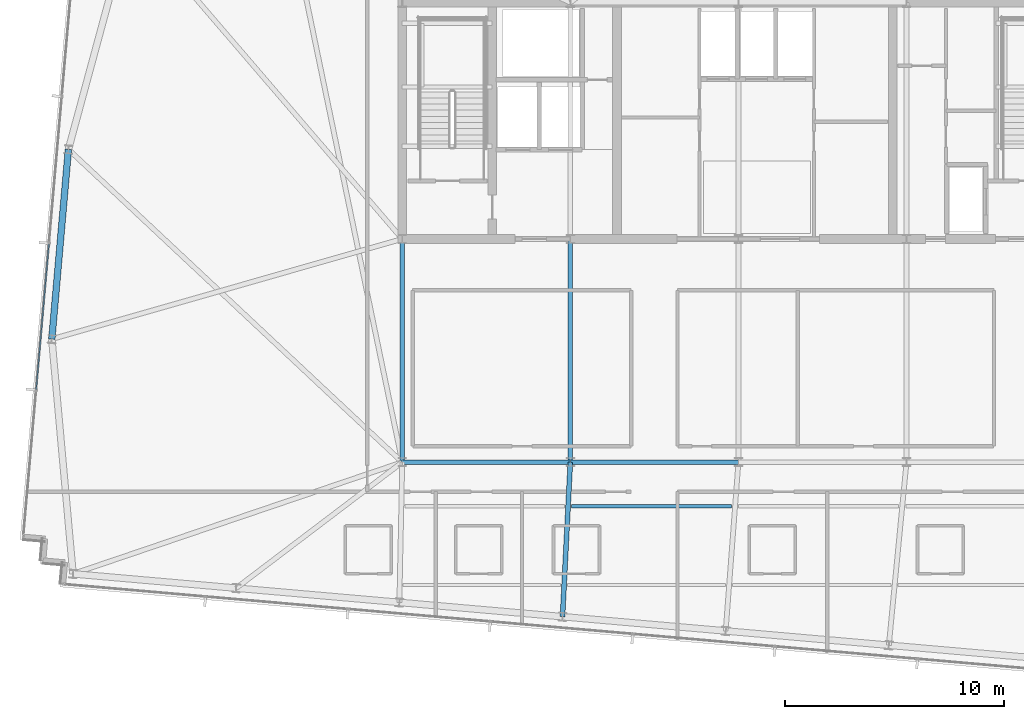
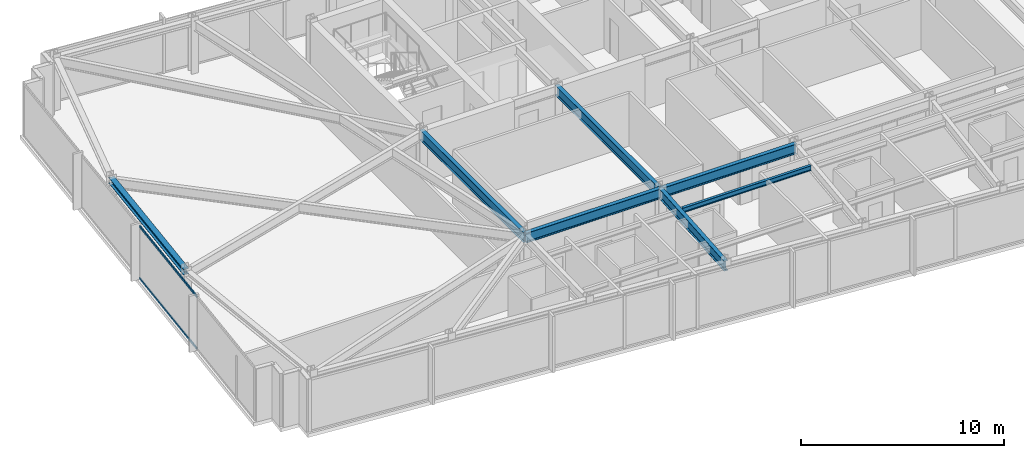
# One storey, part 8 of 33: 7 beams, 2 members, 1 element without a shape of its own.
"""IFC4 building model written with IfcOpenShell, lengths in metres."""

from ifc_helpers import new_model, si_unit, direction, frame, origin, origin_2d, place, context, subcontext, project, spatial, hollow_rectangle, i_section, extrude, material, material_profile, profile_set, type_object, element, aggregate, save


model = new_model("IFC4")

# Units and contexts
model_context = context("Model", 3, precision=1e-05, world=origin(), true_north=direction((0.0, 1.0)))
body_context = subcontext(model_context, "Body", "Model", "MODEL_VIEW")
ifc_project = project(units=[si_unit("LENGTHUNIT", "METRE"), si_unit("AREAUNIT", "SQUARE_METRE"), si_unit("VOLUMEUNIT", "CUBIC_METRE"), si_unit("PLANEANGLEUNIT", "RADIAN"), si_unit("MASSUNIT", "GRAM", prefix="KILO")], contexts=[model_context])

# Site, building, storey
site_placement = place(None, origin())
site = spatial("IfcSite", under=ifc_project, at=site_placement, CompositionType="ELEMENT")
building_placement = place(site_placement, origin())
building = spatial("IfcBuilding", under=site, at=building_placement, Name="Yelkora Congress Tower", CompositionType="ELEMENT")
storey_placement = place(building_placement, frame((0.0, 0.0, 282.89990234375)))
storey = spatial("IfcBuildingStorey", under=building, at=storey_placement, Name="L79", CompositionType="ELEMENT", Elevation=282.89990234375)

# Beams
ifc_material_1 = material(Name="Steel S355J2", Category="steel")
ifc_material_profile_1 = material_profile(ifc_material_1, i_section(OverallWidth=0.219970703125, OverallDepth=0.60009765625, WebThickness=0.011962890625, FlangeThickness=0.01904296875, FilletRadius=0.02392578125, at=origin_2d()), Name="IPE 600")
ifc_profile_set_1 = profile_set([ifc_material_profile_1], Name="Steel S355J2")
beam_type_1 = type_object("IfcBeamType", Name="BM-GIRD-IPE600", PredefinedType="BEAM", material=ifc_profile_set_1)
for number, where, z_axis, x_axis, name in (
    (1, (23.0400390625, 25.199951171875, 2.880126953125), (1.0, 0.0, 0.0), (0.0, 1.0, 0.0), "L79 Spine Grid D Girder 1"),
    (2, (30.719970703125, 25.199951171875, 2.880126953125), (1.0, 0.0, 0.0), (0.0, 1.0, 0.0), "L79 Spine Grid D Girder 2"),
):
    element("IfcBeam", number, at=place(storey_placement, frame(where, z_axis=z_axis, x_axis=x_axis)), inside=storey, type_object=beam_type_1, Name=name, PredefinedType="BEAM", context=body_context, shape_type="SweptSolid", body=[
        extrude(i_section(OverallWidth=0.219970703125, OverallDepth=0.60009765625, WebThickness=0.011962890625, FlangeThickness=0.01904296875, FilletRadius=0.02392578125, at=origin_2d()), origin(), (0.0, 0.0, 1.0), 7.679931640625),
    ])
for number, where, z_axis, x_axis, name in (
    (3, (23.0400390625, 25.199951171875, 2.880126953125), (0.0, 1.0, 0.0), (-1.0, 0.0, 0.0), "L79 Core Tie Girder MC-D1"),
    (4, (30.719970703125, 25.199951171875, 2.880126953125), (0.0, 1.0, 0.0), (-1.0, 0.0, 0.0), "L79 Core Tie Girder MC-D2"),
):
    element("IfcBeam", number, at=place(storey_placement, frame(where, z_axis=z_axis, x_axis=x_axis)), inside=storey, type_object=beam_type_1, Name=name, PredefinedType="BEAM", context=body_context, shape_type="SweptSolid", body=[
        extrude(i_section(OverallWidth=0.219970703125, OverallDepth=0.60009765625, WebThickness=0.011962890625, FlangeThickness=0.01904296875, FilletRadius=0.02392578125, at=origin_2d()), origin(), (0.0, 0.0, 1.0), 10.199951171875),
    ])
beam_1_placement = place(storey_placement, frame((30.362548828125, 18.14111328125, 2.880126953125), z_axis=(0.050569876836, 0.998720525251, 0.0), x_axis=(-0.998720525251, 0.050569876836, 0.0)))
element("IfcBeam", 5, at=beam_1_placement, inside=storey, type_object=beam_type_1, Name="L79 Primary Frame Girder S04", PredefinedType="BEAM", context=body_context, shape_type="SweptSolid", body=[
    extrude(i_section(OverallWidth=0.219970703125, OverallDepth=0.60009765625, WebThickness=0.011962890625, FlangeThickness=0.01904296875, FilletRadius=0.02392578125, at=origin_2d()), origin(), (0.0, 0.0, 1.0), 7.06787109375),
])
ifc_material_profile_2 = material_profile(ifc_material_1, i_section(OverallWidth=0.14990234375, OverallDepth=0.300048828125, WebThickness=0.007080078125, FlangeThickness=0.0107421875, FilletRadius=0.014892578125, at=origin_2d()), Name="IPE 300")
ifc_profile_set_2 = profile_set([ifc_material_profile_2], Name="Steel S355J2")
beam_type_2 = type_object("IfcBeamType", Name="BM-JOIST-IPE300", PredefinedType="JOIST", material=ifc_profile_set_2)
beam_2_placement = place(storey_placement, frame((30.778076171875, 23.1845703125, 3.030029296875), z_axis=(1.0, 0.0, 0.0), x_axis=(0.0, 1.0, 0.0)))
element("IfcBeam", 6, at=beam_2_placement, inside=storey, type_object=beam_type_2, Name="L79 Composite Floor Joist 6", PredefinedType="JOIST", context=body_context, shape_type="SweptSolid", body=[
    extrude(i_section(OverallWidth=0.14990234375, OverallDepth=0.300048828125, WebThickness=0.007080078125, FlangeThickness=0.0107421875, FilletRadius=0.014892578125, at=origin_2d()), origin(), (0.0, 0.0, 1.0), 7.3095703125),
])
ifc_material_profile_3 = material_profile(ifc_material_1, i_section(OverallWidth=0.300048828125, OverallDepth=0.340087890625, WebThickness=0.011962890625, FlangeThickness=0.021484375, FilletRadius=0.027099609375, at=origin_2d()), Name="HEB 340")
ifc_profile_set_3 = profile_set([ifc_material_profile_3], Name="Steel S355J2")
beam_type_3 = type_object("IfcBeamType", Name="BM-SPAN-HEB340", PredefinedType="SPANDREL", material=ifc_profile_set_3)
beam_3_placement = place(storey_placement, frame((7.787353515625, 39.489990234375, 3.010009765625), z_axis=(-0.08715998813, -0.99619432666, 0.0), x_axis=(0.99619432666, -0.08715998813, 0.0)))
element("IfcBeam", 7, at=beam_3_placement, inside=storey, type_object=beam_type_3, Name="L79 Perimeter Beam 14", PredefinedType="SPANDREL", context=body_context, shape_type="SweptSolid", body=[
    extrude(i_section(OverallWidth=0.300048828125, OverallDepth=0.340087890625, WebThickness=0.011962890625, FlangeThickness=0.021484375, FilletRadius=0.027099609375, at=origin_2d()), origin(), (0.0, 0.0, 1.0), 8.7001953125),
])

# Curtain wall, members
ifc_material_2 = material(Name="Anodised aluminium and insulated glass", Category="aluminium")
curtain_wall_type = type_object("IfcCurtainWallType", Name="CW-SYS-B5", PredefinedType="NOTDEFINED", material=ifc_material_2)
curtain_wall_placement = place(storey_placement, origin())
curtain_wall = element("IfcCurtainWall", 8, at=curtain_wall_placement, inside=storey, type_object=curtain_wall_type, Name="L79 Unitised Curtain Wall 5", PredefinedType="NOTDEFINED")
ifc_material_3 = material(Name="Anodised aluminium 6063-T6", Category="aluminium")
ifc_material_profile_4 = material_profile(ifc_material_3, hollow_rectangle(XDim=0.06005859375, YDim=0.1298828125, WallThickness=0.00390625, at=origin_2d()), Name="ALU 60x130x4")
ifc_profile_set_4 = profile_set([ifc_material_profile_4], Name="Anodised aluminium 6063-T6")
member_type = type_object("IfcMemberType", Name="MEM-TR-B5", PredefinedType="USERDEFINED", material=ifc_profile_set_4)
member_1_placement = place(storey_placement, frame((6.31640625, 28.529052734375, 0.030029296875), z_axis=(0.087182854761, 0.996192325726, 0.0), x_axis=(-0.996192325726, 0.087182854761, 0.0)))
member_1 = element("IfcMember", 9, at=member_1_placement, type_object=member_type, Name="CW-B5 transom 2.1", ObjectType="TRANSOM", PredefinedType="USERDEFINED", context=body_context, shape_type="SweptSolid", body=[
    extrude(hollow_rectangle(XDim=0.06005859375, YDim=0.1298828125, WallThickness=0.00390625, at=origin_2d()), origin(), (0.0, 0.0, 1.0), 6.664794921875),
])
member_2_placement = place(storey_placement, frame((6.31640625, 28.529052734375, 3.150146484375), z_axis=(0.087182854761, 0.996192325726, 0.0), x_axis=(-0.996192325726, 0.087182854761, 0.0)))
member_2 = element("IfcMember", 10, at=member_2_placement, type_object=member_type, Name="CW-B5 transom 2.2", ObjectType="TRANSOM", PredefinedType="USERDEFINED", context=body_context, shape_type="SweptSolid", body=[
    extrude(hollow_rectangle(XDim=0.06005859375, YDim=0.1298828125, WallThickness=0.00390625, at=origin_2d()), origin(), (0.0, 0.0, 1.0), 6.664794921875),
])
aggregate(curtain_wall, [member_1, member_2])

save(model, "model.ifc")
